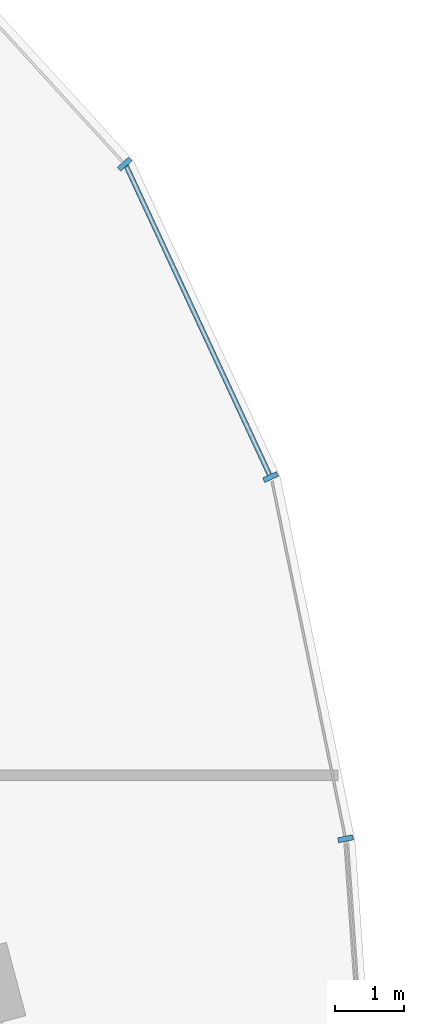
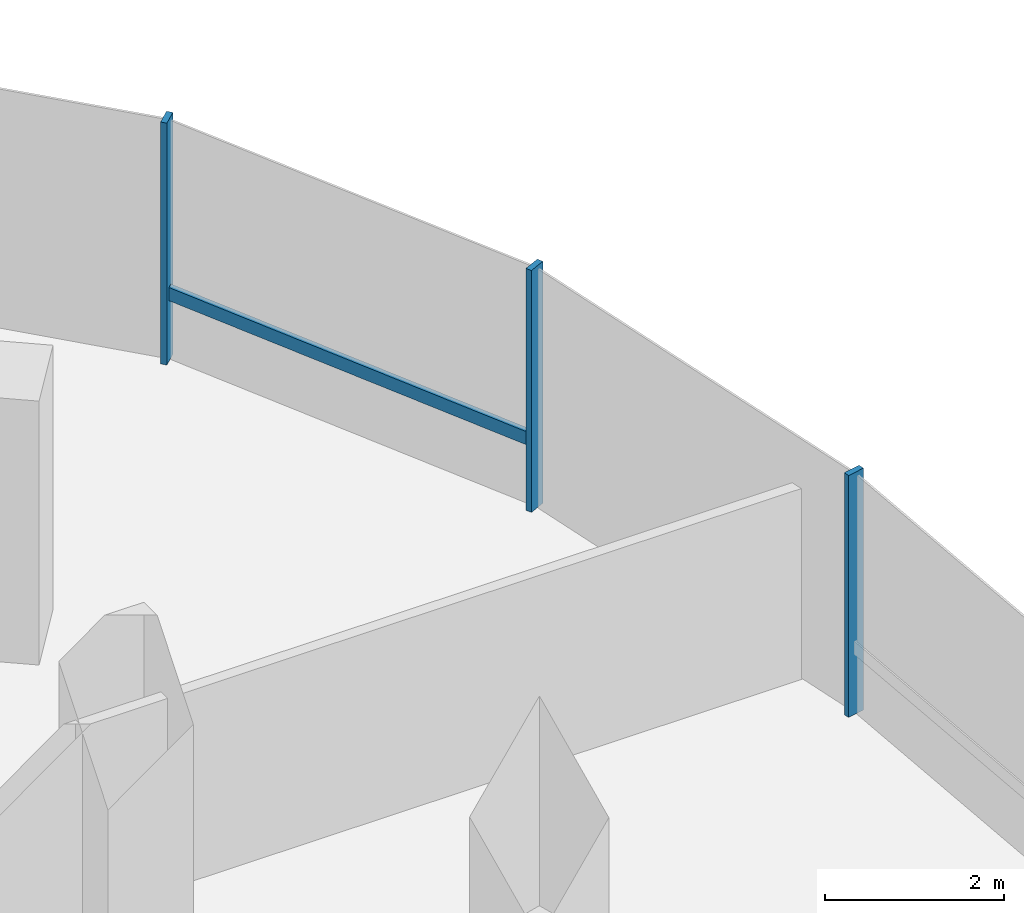
# One storey, part 8 of 21: 4 members, 1 element without a shape of its own.
"""IFC4 building model written with IfcOpenShell, lengths in metres."""

from ifc_helpers import new_model, si_unit, direction, frame, origin, origin_2d, place, context, subcontext, project, spatial, rectangle, extrude, material, material_profile, profile_set, type_object, element, aggregate, save


model = new_model("IFC4")

# Units and contexts
model_context = context("Model", 3, precision=1e-05, world=origin(), true_north=direction((0.0, 1.0)))
body_context = subcontext(model_context, "Body", "Model", "MODEL_VIEW")
ifc_project = project(units=[si_unit("LENGTHUNIT", "METRE"), si_unit("AREAUNIT", "SQUARE_METRE"), si_unit("VOLUMEUNIT", "CUBIC_METRE"), si_unit("PLANEANGLEUNIT", "RADIAN"), si_unit("MASSUNIT", "GRAM", prefix="KILO"), si_unit("THERMODYNAMICTEMPERATUREUNIT", "KELVIN"), si_unit("POWERUNIT", "WATT")], contexts=[model_context])

# Site, building, storey
site_placement = place(None, origin())
site = spatial("IfcSite", under=ifc_project, at=site_placement, CompositionType="ELEMENT")
building_placement = place(site_placement, origin())
building = spatial("IfcBuilding", under=site, at=building_placement, Name="Cundina Bronze Exchange", CompositionType="ELEMENT")
storey_placement = place(building_placement, frame((0.0, 0.0, 103.39990234375)))
storey = spatial("IfcBuildingStorey", under=building, at=storey_placement, Name="L26", CompositionType="ELEMENT", Elevation=103.39990234375)

# Curtain wall, members
ifc_material = material(Name="Anodised Bronze Aluminium 6063-T6", Category="aluminium")
curtain_wall_type = type_object("IfcCurtainWallType", Name="CWS-TRD-MID", PredefinedType="NOTDEFINED", material=ifc_material)
curtain_wall_placement = place(storey_placement, origin())
curtain_wall = element("IfcCurtainWall", 1, at=curtain_wall_placement, inside=storey, type_object=curtain_wall_type, Name="L26 CW-03 Curtain Wall Run CWR-L26-E1", PredefinedType="NOTDEFINED")
ifc_material_profile_1 = material_profile(ifc_material, rectangle(XDim=0.074951171875, YDim=0.219970703125, at=origin_2d()), Name="AL75X220", Category="aluminium")
ifc_profile_set_1 = profile_set([ifc_material_profile_1], Name="Anodised Bronze Aluminium 6063-T6")
member_type_1 = type_object("IfcMemberType", Name="CWM-MUL-220", PredefinedType="MULLION", material=ifc_profile_set_1)
member_1_placement = place(storey_placement, frame((50.717041015625, 8.67822265625, 0.0), z_axis=(0.0, 0.0, 1.0), x_axis=(-0.201419845156, 0.979505000486, 0.0)))
member_1 = element("IfcMember", 2, at=member_1_placement, type_object=member_type_1, Name="CW-03 Mullion 2", PredefinedType="MULLION", context=body_context, shape_type="SweptSolid", body=[
    extrude(rectangle(XDim=0.074951171875, YDim=0.219970703125, at=origin_2d()), origin(), (0.0, 0.0, 1.0), 3.300048828125),
])
member_2_placement = place(storey_placement, frame((49.6279296875, 13.931884765625, 0.0), z_axis=(0.0, 0.0, 1.0), x_axis=(-0.42087749791, 0.907117485088, 0.0)))
member_2 = element("IfcMember", 3, at=member_2_placement, type_object=member_type_1, Name="CW-03 Mullion 3", PredefinedType="MULLION", context=body_context, shape_type="SweptSolid", body=[
    extrude(rectangle(XDim=0.074951171875, YDim=0.219970703125, at=origin_2d()), origin(), (0.0, 0.0, 1.0), 3.300048828125),
])
member_3_placement = place(storey_placement, frame((47.508544921875, 18.47705078125, 0.0), z_axis=(0.0, 0.0, 1.0), x_axis=(-0.674302387584, 0.738455340626, 0.0)))
member_3 = element("IfcMember", 4, at=member_3_placement, type_object=member_type_1, Name="CW-03 Mullion 4", PredefinedType="MULLION", context=body_context, shape_type="SweptSolid", body=[
    extrude(rectangle(XDim=0.074951171875, YDim=0.219970703125, at=origin_2d()), origin(), (0.0, 0.0, 1.0), 3.300048828125),
])
ifc_material_profile_2 = material_profile(ifc_material, rectangle(XDim=0.070068359375, YDim=0.179931640625, at=origin_2d()), Name="AL70X180", Category="aluminium")
ifc_profile_set_2 = profile_set([ifc_material_profile_2], Name="Anodised Bronze Aluminium 6063-T6")
member_type_2 = type_object("IfcMemberType", Name="CWM-TRN-180", PredefinedType="USERDEFINED", material=ifc_profile_set_2)
member_4_placement = place(storey_placement, frame((49.610595703125, 13.96923828125, 0.920166015625), z_axis=(-0.420811422796, 0.907148139195, 0.0), x_axis=(-0.907148139195, -0.420811422796, 0.0)))
member_4 = element("IfcMember", 5, at=member_4_placement, type_object=member_type_2, Name="CW-03 Spandrel Transom 3", ObjectType="TRANSOM", PredefinedType="USERDEFINED", context=body_context, shape_type="SweptSolid", body=[
    extrude(rectangle(XDim=0.070068359375, YDim=0.179931640625, at=origin_2d()), origin(), (0.0, 0.0, 1.0), 4.95166015625),
])
aggregate(curtain_wall, [member_1, member_2, member_4, member_3])

save(model, "model.ifc")
